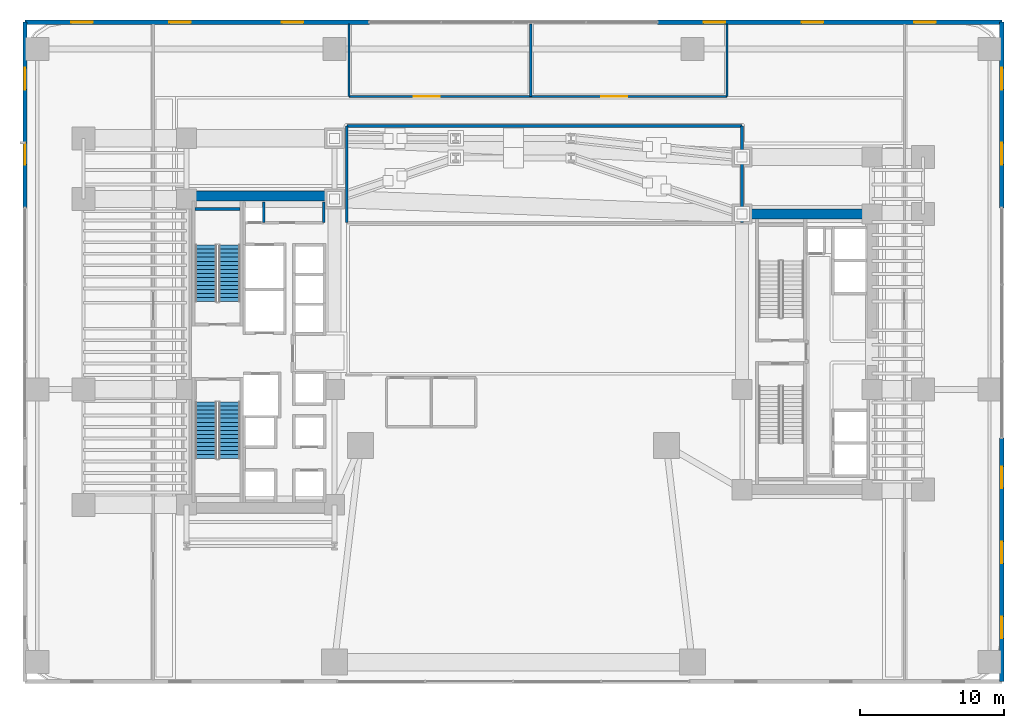
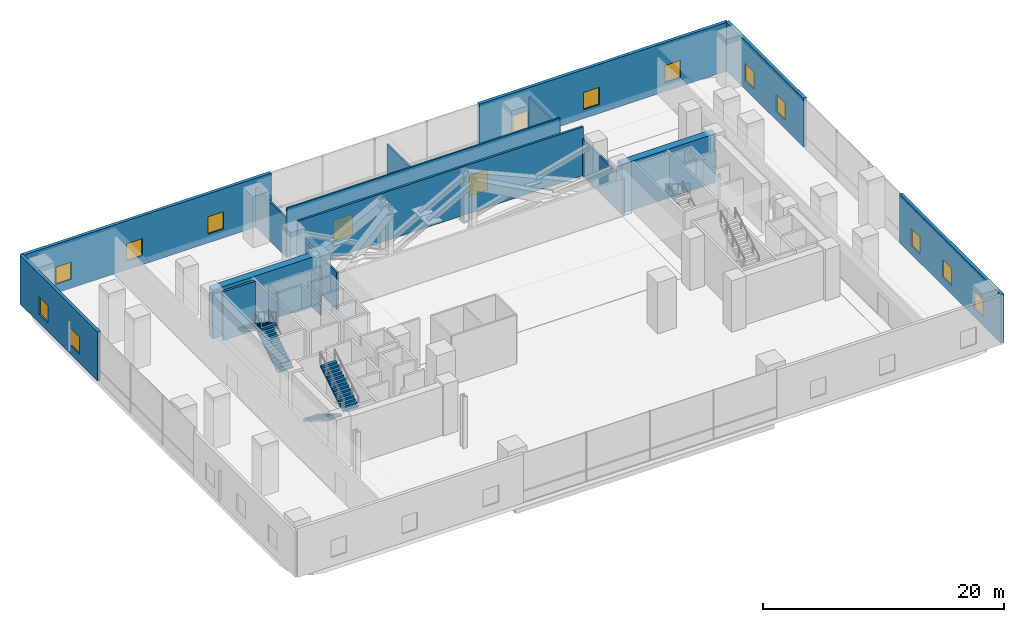
# One storey, part 29 of 41: 17 walls, 13 windows, 4 stair flights, 2 doors, 15 openings, 2 elements without a shape of their own.
"""IFC4 building model written with IfcOpenShell, lengths in metres."""

from ifc_helpers import new_model, si_unit, direction, frame, frame_2d, origin, place, context, subcontext, project, spatial, polyline, rectangle, outline, extrude, material, layer, layer_set, type_object, element, fill, aggregate, save


model = new_model("IFC4")

# Units and contexts
model_context = context("Model", 3, precision=1e-05, world=origin(), true_north=direction((0.0, 1.0)))
body_context = subcontext(model_context, "Body", "Model", "MODEL_VIEW")
ifc_project = project(units=[si_unit("LENGTHUNIT", "METRE"), si_unit("AREAUNIT", "SQUARE_METRE"), si_unit("VOLUMEUNIT", "CUBIC_METRE"), si_unit("PLANEANGLEUNIT", "RADIAN"), si_unit("MASSUNIT", "GRAM", prefix="KILO")], contexts=[model_context])

# Site, building, storey
site_placement = place(None, origin())
site = spatial("IfcSite", under=ifc_project, at=site_placement, CompositionType="ELEMENT")
building_placement = place(site_placement, origin())
building = spatial("IfcBuilding", under=site, at=building_placement, Name="Valdorenza Pilgrim Sanctuary Tower", CompositionType="ELEMENT")
storey_placement = place(building_placement, frame((0.0, 0.0, 20.800048828125)))
storey = spatial("IfcBuildingStorey", under=building, at=storey_placement, Name="L04", CompositionType="ELEMENT", Elevation=20.800048828125)

# Walls
ifc_material_1 = material(Name="Acoustic twin-stud gypsum partition", Category="gypsum")
ifc_layer_1 = layer(ifc_material_1, 0.159912109375, Name="Acoustic twin-stud gypsum partition")
ifc_layer_set_1 = layer_set([ifc_layer_1], Name="Acoustic twin-stud gypsum partition")
wall_type_1 = type_object("IfcWallType", Name="WAL-COR-160", PredefinedType="PARTITIONING", material=ifc_layer_set_1)
for number, where, z_axis, x_axis, name in (
    (1, (-13.14990234375, 8.949951171875, 0.0), (0.0, 0.0, 1.0), (0.0, 1.0, 0.0), "L04 Core A North Service East Wall"),
    (2, (-17.300048828125, 8.949951171875, 0.0), (0.0, 0.0, 1.0), (0.0, 1.0, 0.0), "L04 Core Electrical Riser Wall"),
):
    element("IfcWall", number, at=place(storey_placement, frame(where, z_axis=z_axis, x_axis=x_axis)), inside=storey, type_object=wall_type_1, Name=name, PredefinedType="PARTITIONING", context=body_context, shape_type="SweptSolid", body=[
        extrude(rectangle(XDim=1.429931640625, YDim=0.159912109375, at=frame_2d((0.71484375, 0.0))), origin(), (0.0, 0.0, 1.0), 3.744873046875),
    ])

# Wall, openings, doors
wall_1_placement = place(storey_placement, frame((-11.39990234375, 17.699951171875, 0.0), z_axis=(0.0, 0.0, 1.0), x_axis=(1.0, 0.0, 0.0)))
wall_1 = element("IfcWall", 3, at=wall_1_placement, inside=storey, type_object=wall_type_1, Name="L04 L04 North Hall Wall", PredefinedType="PARTITIONING", context=body_context, shape_type="SweptSolid", body=[
    extrude(rectangle(XDim=26.199951171875, YDim=0.159912109375, at=frame_2d((13.10009765625, 0.0))), origin(), (0.0, 0.0, 1.0), 4.9599609375),
])
opening_1_placement = place(wall_1_placement, frame((4.5, 0.0, 0.0)))
opening_1 = element("IfcOpeningElement", 4, at=opening_1_placement, cuts=wall_1, Name="Opening DR-HL1", PredefinedType="OPENING", context=body_context, shape_type="SweptSolid", body=[
    extrude(rectangle(XDim=1.800048828125, YDim=2.14990234375, at=frame_2d((0.89990234375, 1.074951171875))), frame((0.0, 0.0947265625, 0.0), z_axis=(0.0, -1.0, 0.0), x_axis=(1.0, 0.0, 0.0)), (0.0, 0.0, 1.0), 0.189697265625),
])
opening_2_placement = place(wall_1_placement, frame((17.5, 0.0, 0.0)))
opening_2 = element("IfcOpeningElement", 5, at=opening_2_placement, cuts=wall_1, Name="Opening DR-HL1", PredefinedType="OPENING", context=body_context, shape_type="SweptSolid", body=[
    extrude(rectangle(XDim=1.800048828125, YDim=2.14990234375, at=frame_2d((0.89990234375, 1.074951171875))), frame((0.0, 0.0947265625, 0.0), z_axis=(0.0, -1.0, 0.0), x_axis=(1.0, 0.0, 0.0)), (0.0, 0.0, 1.0), 0.189697265625),
])
ifc_material_2 = material(Name="Acoustic oak and vision-glass double door", Category="glass")
door_type = type_object("IfcDoorType", Name="DR-HALL-1800", OperationType="NOTDEFINED", PredefinedType="DOOR", material=ifc_material_2)
door_1_placement = place(opening_1_placement, frame((1.800048828125, 0.0, 0.0), z_axis=(0.0, 0.0, 1.0), x_axis=(-1.0, 0.0, 0.0)))
door_1 = element("IfcDoor", 6, at=door_1_placement, inside=storey, type_object=door_type, Name="L04 Hydrotherapy Changing Suite Double Door", OperationType="DOUBLE_DOOR_SINGLE_SWING", OverallHeight=2.14990234375, OverallWidth=1.800048828125, PredefinedType="DOOR", context=body_context, shape_type="SweptSolid", body=[
    extrude(rectangle(XDim=1.800048828125, YDim=2.14990234375, at=frame_2d((0.89990234375, 1.074951171875))), frame((0.0, 0.02490234375, 0.0), z_axis=(0.0, -1.0, 0.0), x_axis=(1.0, 0.0, 0.0)), (0.0, 0.0, 1.0), 0.050048828125),
])
fill(opening_1, door_1)
door_2_placement = place(opening_2_placement, origin())
door_2 = element("IfcDoor", 7, at=door_2_placement, inside=storey, type_object=door_type, Name="L04 Transfer Plant Room Double Door", OperationType="DOUBLE_DOOR_SINGLE_SWING", OverallHeight=2.14990234375, OverallWidth=1.800048828125, PredefinedType="DOOR", context=body_context, shape_type="SweptSolid", body=[
    extrude(rectangle(XDim=1.800048828125, YDim=2.14990234375, at=frame_2d((0.89990234375, 1.074951171875))), frame((0.0, 0.02490234375, 0.0), z_axis=(0.0, -1.0, 0.0), x_axis=(1.0, 0.0, 0.0)), (0.0, 0.0, 1.0), 0.050048828125),
])
fill(opening_2, door_2)

# Walls
for number, where, z_axis, x_axis, name in (
    (8, (-11.39990234375, 17.699951171875, 0.0), (0.0, 0.0, 1.0), (0.0, 1.0, 0.0), "L04 L04 North Hall West Wall"),
    (9, (14.800048828125, 17.699951171875, 0.0), (0.0, 0.0, 1.0), (0.0, 1.0, 0.0), "L04 L04 North Hall East Wall"),
):
    element("IfcWall", number, at=place(storey_placement, frame(where, z_axis=z_axis, x_axis=x_axis)), inside=storey, type_object=wall_type_1, Name=name, PredefinedType="PARTITIONING", context=body_context, shape_type="SweptSolid", body=[
        extrude(rectangle(XDim=5.0400390625, YDim=0.159912109375, at=frame_2d((2.52001953125, 0.0))), origin(), (0.0, 0.0, 1.0), 3.9970703125),
    ])
ifc_material_3 = material(Name="Concrete C60/75", Category="concrete")
ifc_layer_2 = layer(ifc_material_3, 0.699951171875, Name="Concrete C60/75")
ifc_layer_set_2 = layer_set([ifc_layer_2], Name="Concrete C60/75")
wall_type_2 = type_object("IfcWallType", Name="WAL-COR-700", PredefinedType="SHEAR", material=ifc_layer_set_2)
wall_2_placement = place(storey_placement, frame((-22.64990234375, 10.800048828125, 0.0), z_axis=(0.0, 0.0, 1.0), x_axis=(1.0, 0.0, 0.0)))
element("IfcWall", 10, at=wall_2_placement, inside=storey, type_object=wall_type_2, Name="L04 Split Core A Shear Wall N", PredefinedType="SHEAR", context=body_context, shape_type="SweptSolid", body=[
    extrude(rectangle(XDim=10.25, YDim=0.699951171875, at=frame_2d((5.125, 0.0))), origin(), (0.0, 0.0, 1.0), 4.9599609375),
])
wall_3_placement = place(storey_placement, frame((15.85009765625, 9.550048828125, 0.0), z_axis=(0.0, 0.0, 1.0), x_axis=(1.0, 0.0, 0.0)))
element("IfcWall", 11, at=wall_3_placement, inside=storey, type_object=wall_type_2, Name="L04 Split Core B Shear Wall N", PredefinedType="SHEAR", context=body_context, shape_type="SweptSolid", body=[
    extrude(rectangle(XDim=9.0, YDim=0.699951171875, at=frame_2d((4.5, 0.0))), origin(), (0.0, 0.0, 1.0), 4.9599609375),
])

# Wall, openings, windows
ifc_material_4 = material(Name="Honed travertine limestone", Category="masonry")
ifc_layer_3 = layer(ifc_material_4, 0.300048828125, Name="Honed travertine limestone")
ifc_layer_set_3 = layer_set([ifc_layer_3], Name="Honed travertine limestone")
wall_type_3 = type_object("IfcWallType", Name="WAL-EXT-300", PredefinedType="SOLIDWALL", material=ifc_layer_set_3)
wall_4_placement = place(storey_placement, frame((-33.85009765625, 9.97998046875, 0.0), z_axis=(0.0, 0.0, 1.0), x_axis=(0.0, 1.0, 0.0)))
wall_4 = element("IfcWall", 12, at=wall_4_placement, inside=storey, type_object=wall_type_3, Name="L04 Podium Honed Travertine Stone Wall W-N", PredefinedType="SOLIDWALL", context=body_context, shape_type="SweptSolid", body=[
    extrude(rectangle(XDim=12.8701171875, YDim=0.300048828125, at=frame_2d((6.43505859375, 0.0))), origin(), (0.0, 0.0, 1.0), 4.9599609375),
])
opening_3_placement = place(wall_4_placement, frame((3.0, 0.0, 0.89990234375)))
opening_3 = element("IfcOpeningElement", 13, at=opening_3_placement, cuts=wall_4, Name="Opening WN-VS1", PredefinedType="OPENING", context=body_context, shape_type="SweptSolid", body=[
    extrude(rectangle(XDim=1.5, YDim=1.75, at=frame_2d((0.75, 0.875))), frame((0.0, 0.1650390625, 0.0), z_axis=(0.0, -1.0, 0.0), x_axis=(1.0, 0.0, 0.0)), (0.0, 0.0, 1.0), 0.329833984375),
])
opening_4_placement = place(wall_4_placement, frame((8.199951171875, 0.0, 0.89990234375)))
opening_4 = element("IfcOpeningElement", 14, at=opening_4_placement, cuts=wall_4, Name="Opening WN-VS1", PredefinedType="OPENING", context=body_context, shape_type="SweptSolid", body=[
    extrude(rectangle(XDim=1.5, YDim=1.75, at=frame_2d((0.75, 0.875))), frame((0.0, 0.1650390625, 0.0), z_axis=(0.0, -1.0, 0.0), x_axis=(1.0, 0.0, 0.0)), (0.0, 0.0, 1.0), 0.329833984375),
])
ifc_material_5 = material(Name="Ceramic-fritted low-E IGU glazing", Category="glass")
window_type = type_object("IfcWindowType", Name="WIN-VIS-1500", PartitioningType="SINGLE_PANEL", PredefinedType="WINDOW", material=ifc_material_5)
window_1_placement = place(opening_3_placement, origin())
window_1 = element("IfcWindow", 15, at=window_1_placement, inside=storey, type_object=window_type, Name="L04 Podium Stone Vision Window W-N-1", OverallHeight=1.75, OverallWidth=1.5, PartitioningType="SINGLE_PANEL", PredefinedType="WINDOW", context=body_context, shape_type="SweptSolid", body=[
    extrude(rectangle(XDim=1.5, YDim=1.75, at=frame_2d((0.75, 0.875))), frame((0.0, 0.030029296875, 0.0), z_axis=(0.0, -1.0, 0.0), x_axis=(1.0, 0.0, 0.0)), (0.0, 0.0, 1.0), 0.06005859375),
])
fill(opening_3, window_1)
window_2_placement = place(opening_4_placement, origin())
window_2 = element("IfcWindow", 16, at=window_2_placement, inside=storey, type_object=window_type, Name="L04 Podium Stone Vision Window W-N-2", OverallHeight=1.75, OverallWidth=1.5, PartitioningType="SINGLE_PANEL", PredefinedType="WINDOW", context=body_context, shape_type="SweptSolid", body=[
    extrude(rectangle(XDim=1.5, YDim=1.75, at=frame_2d((0.75, 0.875))), frame((0.0, 0.030029296875, 0.0), z_axis=(0.0, -1.0, 0.0), x_axis=(1.0, 0.0, 0.0)), (0.0, 0.0, 1.0), 0.06005859375),
])
fill(opening_4, window_2)

wall_5_placement = place(storey_placement, frame((33.85009765625, -22.85009765625, 0.0), z_axis=(0.0, 0.0, 1.0), x_axis=(0.0, 1.0, 0.0)))
wall_5 = element("IfcWall", 17, at=wall_5_placement, inside=storey, type_object=wall_type_3, Name="L04 Podium Honed Travertine Stone Wall E-S", PredefinedType="SOLIDWALL", context=body_context, shape_type="SweptSolid", body=[
    extrude(rectangle(XDim=16.8701171875, YDim=0.300048828125, at=frame_2d((8.43505859375, 0.0))), origin(), (0.0, 0.0, 1.0), 4.9599609375),
])
opening_5_placement = place(wall_5_placement, frame((3.0, 0.0, 0.89990234375)))
opening_5 = element("IfcOpeningElement", 18, at=opening_5_placement, cuts=wall_5, Name="Opening WN-VS1", PredefinedType="OPENING", context=body_context, shape_type="SweptSolid", body=[
    extrude(rectangle(XDim=1.5, YDim=1.75, at=frame_2d((0.75, 0.875))), frame((0.0, 0.1650390625, 0.0), z_axis=(0.0, -1.0, 0.0), x_axis=(1.0, 0.0, 0.0)), (0.0, 0.0, 1.0), 0.329833984375),
])
opening_6_placement = place(wall_5_placement, frame((8.199951171875, 0.0, 0.89990234375)))
opening_6 = element("IfcOpeningElement", 19, at=opening_6_placement, cuts=wall_5, Name="Opening WN-VS1", PredefinedType="OPENING", context=body_context, shape_type="SweptSolid", body=[
    extrude(rectangle(XDim=1.5, YDim=1.75, at=frame_2d((0.75, 0.875))), frame((0.0, 0.1650390625, 0.0), z_axis=(0.0, -1.0, 0.0), x_axis=(1.0, 0.0, 0.0)), (0.0, 0.0, 1.0), 0.329833984375),
])
opening_7_placement = place(wall_5_placement, frame((13.39990234375, 0.0, 0.89990234375)))
opening_7 = element("IfcOpeningElement", 20, at=opening_7_placement, cuts=wall_5, Name="Opening WN-VS1", PredefinedType="OPENING", context=body_context, shape_type="SweptSolid", body=[
    extrude(rectangle(XDim=1.5, YDim=1.75, at=frame_2d((0.75, 0.875))), frame((0.0, 0.1650390625, 0.0), z_axis=(0.0, -1.0, 0.0), x_axis=(1.0, 0.0, 0.0)), (0.0, 0.0, 1.0), 0.329833984375),
])
window_3_placement = place(opening_5_placement, origin())
window_3 = element("IfcWindow", 21, at=window_3_placement, inside=storey, type_object=window_type, Name="L04 Podium Stone Vision Window E-S-1", OverallHeight=1.75, OverallWidth=1.5, PartitioningType="SINGLE_PANEL", PredefinedType="WINDOW", context=body_context, shape_type="SweptSolid", body=[
    extrude(rectangle(XDim=1.5, YDim=1.75, at=frame_2d((0.75, 0.875))), frame((0.0, 0.030029296875, 0.0), z_axis=(0.0, -1.0, 0.0), x_axis=(1.0, 0.0, 0.0)), (0.0, 0.0, 1.0), 0.06005859375),
])
fill(opening_5, window_3)
window_4_placement = place(opening_6_placement, origin())
window_4 = element("IfcWindow", 22, at=window_4_placement, inside=storey, type_object=window_type, Name="L04 Podium Stone Vision Window E-S-2", OverallHeight=1.75, OverallWidth=1.5, PartitioningType="SINGLE_PANEL", PredefinedType="WINDOW", context=body_context, shape_type="SweptSolid", body=[
    extrude(rectangle(XDim=1.5, YDim=1.75, at=frame_2d((0.75, 0.875))), frame((0.0, 0.030029296875, 0.0), z_axis=(0.0, -1.0, 0.0), x_axis=(1.0, 0.0, 0.0)), (0.0, 0.0, 1.0), 0.06005859375),
])
fill(opening_6, window_4)
window_5_placement = place(opening_7_placement, origin())
window_5 = element("IfcWindow", 23, at=window_5_placement, inside=storey, type_object=window_type, Name="L04 Podium Stone Vision Window E-S-3", OverallHeight=1.75, OverallWidth=1.5, PartitioningType="SINGLE_PANEL", PredefinedType="WINDOW", context=body_context, shape_type="SweptSolid", body=[
    extrude(rectangle(XDim=1.5, YDim=1.75, at=frame_2d((0.75, 0.875))), frame((0.0, 0.030029296875, 0.0), z_axis=(0.0, -1.0, 0.0), x_axis=(1.0, 0.0, 0.0)), (0.0, 0.0, 1.0), 0.06005859375),
])
fill(opening_7, window_5)

wall_6_placement = place(storey_placement, frame((33.85009765625, 9.97998046875, 0.0), z_axis=(0.0, 0.0, 1.0), x_axis=(0.0, 1.0, 0.0)))
wall_6 = element("IfcWall", 24, at=wall_6_placement, inside=storey, type_object=wall_type_3, Name="L04 Podium Honed Travertine Stone Wall E-N", PredefinedType="SOLIDWALL", context=body_context, shape_type="SweptSolid", body=[
    extrude(rectangle(XDim=12.8701171875, YDim=0.300048828125, at=frame_2d((6.43505859375, 0.0))), origin(), (0.0, 0.0, 1.0), 4.9599609375),
])
opening_8_placement = place(wall_6_placement, frame((3.0, 0.0, 0.89990234375)))
opening_8 = element("IfcOpeningElement", 25, at=opening_8_placement, cuts=wall_6, Name="Opening WN-VS1", PredefinedType="OPENING", context=body_context, shape_type="SweptSolid", body=[
    extrude(rectangle(XDim=1.5, YDim=1.75, at=frame_2d((0.75, 0.875))), frame((0.0, 0.1650390625, 0.0), z_axis=(0.0, -1.0, 0.0), x_axis=(1.0, 0.0, 0.0)), (0.0, 0.0, 1.0), 0.329833984375),
])
opening_9_placement = place(wall_6_placement, frame((8.199951171875, 0.0, 0.89990234375)))
opening_9 = element("IfcOpeningElement", 26, at=opening_9_placement, cuts=wall_6, Name="Opening WN-VS1", PredefinedType="OPENING", context=body_context, shape_type="SweptSolid", body=[
    extrude(rectangle(XDim=1.5, YDim=1.75, at=frame_2d((0.75, 0.875))), frame((0.0, 0.1650390625, 0.0), z_axis=(0.0, -1.0, 0.0), x_axis=(1.0, 0.0, 0.0)), (0.0, 0.0, 1.0), 0.329833984375),
])
window_6_placement = place(opening_8_placement, origin())
window_6 = element("IfcWindow", 27, at=window_6_placement, inside=storey, type_object=window_type, Name="L04 Podium Stone Vision Window E-N-1", OverallHeight=1.75, OverallWidth=1.5, PartitioningType="SINGLE_PANEL", PredefinedType="WINDOW", context=body_context, shape_type="SweptSolid", body=[
    extrude(rectangle(XDim=1.5, YDim=1.75, at=frame_2d((0.75, 0.875))), frame((0.0, 0.030029296875, 0.0), z_axis=(0.0, -1.0, 0.0), x_axis=(1.0, 0.0, 0.0)), (0.0, 0.0, 1.0), 0.06005859375),
])
fill(opening_8, window_6)
window_7_placement = place(opening_9_placement, origin())
window_7 = element("IfcWindow", 28, at=window_7_placement, inside=storey, type_object=window_type, Name="L04 Podium Stone Vision Window E-N-2", OverallHeight=1.75, OverallWidth=1.5, PartitioningType="SINGLE_PANEL", PredefinedType="WINDOW", context=body_context, shape_type="SweptSolid", body=[
    extrude(rectangle(XDim=1.5, YDim=1.75, at=frame_2d((0.75, 0.875))), frame((0.0, 0.030029296875, 0.0), z_axis=(0.0, -1.0, 0.0), x_axis=(1.0, 0.0, 0.0)), (0.0, 0.0, 1.0), 0.06005859375),
])
fill(opening_9, window_7)

wall_7_placement = place(storey_placement, frame((-33.85009765625, 22.85009765625, 0.0), z_axis=(0.0, 0.0, 1.0), x_axis=(1.0, 0.0, 0.0)))
wall_7 = element("IfcWall", 29, at=wall_7_placement, inside=storey, type_object=wall_type_3, Name="L04 Podium Honed Travertine Stone Wall N-W", PredefinedType="SOLIDWALL", context=body_context, shape_type="SweptSolid", body=[
    extrude(rectangle(XDim=23.8701171875, YDim=0.300048828125, at=frame_2d((11.93505859375, 0.0))), origin(), (0.0, 0.0, 1.0), 4.9599609375),
])
opening_10_placement = place(wall_7_placement, frame((3.199951171875, 0.0, 0.89990234375)))
opening_10 = element("IfcOpeningElement", 30, at=opening_10_placement, cuts=wall_7, Name="Opening WN-VS1", PredefinedType="OPENING", context=body_context, shape_type="SweptSolid", body=[
    extrude(rectangle(XDim=1.5, YDim=1.75, at=frame_2d((0.75, 0.875))), frame((0.0, 0.1650390625, 0.0), z_axis=(0.0, -1.0, 0.0), x_axis=(1.0, 0.0, 0.0)), (0.0, 0.0, 1.0), 0.329833984375),
])
opening_11_placement = place(wall_7_placement, frame((10.0, 0.0, 0.89990234375)))
opening_11 = element("IfcOpeningElement", 31, at=opening_11_placement, cuts=wall_7, Name="Opening WN-VS1", PredefinedType="OPENING", context=body_context, shape_type="SweptSolid", body=[
    extrude(rectangle(XDim=1.5, YDim=1.75, at=frame_2d((0.75, 0.875))), frame((0.0, 0.1650390625, 0.0), z_axis=(0.0, -1.0, 0.0), x_axis=(1.0, 0.0, 0.0)), (0.0, 0.0, 1.0), 0.329833984375),
])
opening_12_placement = place(wall_7_placement, frame((17.800048828125, 0.0, 0.89990234375)))
opening_12 = element("IfcOpeningElement", 32, at=opening_12_placement, cuts=wall_7, Name="Opening WN-VS1", PredefinedType="OPENING", context=body_context, shape_type="SweptSolid", body=[
    extrude(rectangle(XDim=1.5, YDim=1.75, at=frame_2d((0.75, 0.875))), frame((0.0, 0.1650390625, 0.0), z_axis=(0.0, -1.0, 0.0), x_axis=(1.0, 0.0, 0.0)), (0.0, 0.0, 1.0), 0.329833984375),
])
window_8_placement = place(opening_10_placement, origin())
window_8 = element("IfcWindow", 33, at=window_8_placement, inside=storey, type_object=window_type, Name="L04 Podium Stone Vision Window N-W-1", OverallHeight=1.75, OverallWidth=1.5, PartitioningType="SINGLE_PANEL", PredefinedType="WINDOW", context=body_context, shape_type="SweptSolid", body=[
    extrude(rectangle(XDim=1.5, YDim=1.75, at=frame_2d((0.75, 0.875))), frame((0.0, 0.030029296875, 0.0), z_axis=(0.0, -1.0, 0.0), x_axis=(1.0, 0.0, 0.0)), (0.0, 0.0, 1.0), 0.06005859375),
])
fill(opening_10, window_8)
window_9_placement = place(opening_11_placement, origin())
window_9 = element("IfcWindow", 34, at=window_9_placement, inside=storey, type_object=window_type, Name="L04 Podium Stone Vision Window N-W-2", OverallHeight=1.75, OverallWidth=1.5, PartitioningType="SINGLE_PANEL", PredefinedType="WINDOW", context=body_context, shape_type="SweptSolid", body=[
    extrude(rectangle(XDim=1.5, YDim=1.75, at=frame_2d((0.75, 0.875))), frame((0.0, 0.030029296875, 0.0), z_axis=(0.0, -1.0, 0.0), x_axis=(1.0, 0.0, 0.0)), (0.0, 0.0, 1.0), 0.06005859375),
])
fill(opening_11, window_9)
window_10_placement = place(opening_12_placement, origin())
window_10 = element("IfcWindow", 35, at=window_10_placement, inside=storey, type_object=window_type, Name="L04 Podium Stone Vision Window N-W-3", OverallHeight=1.75, OverallWidth=1.5, PartitioningType="SINGLE_PANEL", PredefinedType="WINDOW", context=body_context, shape_type="SweptSolid", body=[
    extrude(rectangle(XDim=1.5, YDim=1.75, at=frame_2d((0.75, 0.875))), frame((0.0, 0.030029296875, 0.0), z_axis=(0.0, -1.0, 0.0), x_axis=(1.0, 0.0, 0.0)), (0.0, 0.0, 1.0), 0.06005859375),
])
fill(opening_12, window_10)

wall_8_placement = place(storey_placement, frame((9.97998046875, 22.85009765625, 0.0), z_axis=(0.0, 0.0, 1.0), x_axis=(1.0, 0.0, 0.0)))
wall_8 = element("IfcWall", 36, at=wall_8_placement, inside=storey, type_object=wall_type_3, Name="L04 Podium Honed Travertine Stone Wall N-E", PredefinedType="SOLIDWALL", context=body_context, shape_type="SweptSolid", body=[
    extrude(rectangle(XDim=23.8701171875, YDim=0.300048828125, at=frame_2d((11.93505859375, 0.0))), origin(), (0.0, 0.0, 1.0), 4.9599609375),
])
opening_13_placement = place(wall_8_placement, frame((3.199951171875, 0.0, 0.89990234375)))
opening_13 = element("IfcOpeningElement", 37, at=opening_13_placement, cuts=wall_8, Name="Opening WN-VS1", PredefinedType="OPENING", context=body_context, shape_type="SweptSolid", body=[
    extrude(rectangle(XDim=1.5, YDim=1.75, at=frame_2d((0.75, 0.875))), frame((0.0, 0.1650390625, 0.0), z_axis=(0.0, -1.0, 0.0), x_axis=(1.0, 0.0, 0.0)), (0.0, 0.0, 1.0), 0.329833984375),
])
opening_14_placement = place(wall_8_placement, frame((10.0, 0.0, 0.89990234375)))
opening_14 = element("IfcOpeningElement", 38, at=opening_14_placement, cuts=wall_8, Name="Opening WN-VS1", PredefinedType="OPENING", context=body_context, shape_type="SweptSolid", body=[
    extrude(rectangle(XDim=1.5, YDim=1.75, at=frame_2d((0.75, 0.875))), frame((0.0, 0.1650390625, 0.0), z_axis=(0.0, -1.0, 0.0), x_axis=(1.0, 0.0, 0.0)), (0.0, 0.0, 1.0), 0.329833984375),
])
opening_15_placement = place(wall_8_placement, frame((17.800048828125, 0.0, 0.89990234375)))
opening_15 = element("IfcOpeningElement", 39, at=opening_15_placement, cuts=wall_8, Name="Opening WN-VS1", PredefinedType="OPENING", context=body_context, shape_type="SweptSolid", body=[
    extrude(rectangle(XDim=1.5, YDim=1.75, at=frame_2d((0.75, 0.875))), frame((0.0, 0.1650390625, 0.0), z_axis=(0.0, -1.0, 0.0), x_axis=(1.0, 0.0, 0.0)), (0.0, 0.0, 1.0), 0.329833984375),
])
window_11_placement = place(opening_13_placement, origin())
window_11 = element("IfcWindow", 40, at=window_11_placement, inside=storey, type_object=window_type, Name="L04 Podium Stone Vision Window N-E-1", OverallHeight=1.75, OverallWidth=1.5, PartitioningType="SINGLE_PANEL", PredefinedType="WINDOW", context=body_context, shape_type="SweptSolid", body=[
    extrude(rectangle(XDim=1.5, YDim=1.75, at=frame_2d((0.75, 0.875))), frame((0.0, 0.030029296875, 0.0), z_axis=(0.0, -1.0, 0.0), x_axis=(1.0, 0.0, 0.0)), (0.0, 0.0, 1.0), 0.06005859375),
])
fill(opening_13, window_11)
window_12_placement = place(opening_14_placement, origin())
window_12 = element("IfcWindow", 41, at=window_12_placement, inside=storey, type_object=window_type, Name="L04 Podium Stone Vision Window N-E-2", OverallHeight=1.75, OverallWidth=1.5, PartitioningType="SINGLE_PANEL", PredefinedType="WINDOW", context=body_context, shape_type="SweptSolid", body=[
    extrude(rectangle(XDim=1.5, YDim=1.75, at=frame_2d((0.75, 0.875))), frame((0.0, 0.030029296875, 0.0), z_axis=(0.0, -1.0, 0.0), x_axis=(1.0, 0.0, 0.0)), (0.0, 0.0, 1.0), 0.06005859375),
])
fill(opening_14, window_12)
window_13_placement = place(opening_15_placement, origin())
window_13 = element("IfcWindow", 42, at=window_13_placement, inside=storey, type_object=window_type, Name="L04 Podium Stone Vision Window N-E-3", OverallHeight=1.75, OverallWidth=1.5, PartitioningType="SINGLE_PANEL", PredefinedType="WINDOW", context=body_context, shape_type="SweptSolid", body=[
    extrude(rectangle(XDim=1.5, YDim=1.75, at=frame_2d((0.75, 0.875))), frame((0.0, 0.030029296875, 0.0), z_axis=(0.0, -1.0, 0.0), x_axis=(1.0, 0.0, 0.0)), (0.0, 0.0, 1.0), 0.06005859375),
])
fill(opening_15, window_13)

# Walls
ifc_material_6 = material(Name="Gypsum shaftwall partition", Category="gypsum")
ifc_layer_4 = layer(ifc_material_6, 0.199951171875, Name="Gypsum shaftwall partition")
ifc_layer_set_4 = layer_set([ifc_layer_4], Name="Gypsum shaftwall partition")
wall_type_4 = type_object("IfcWallType", Name="WAL-FFL-200", PredefinedType="PARTITIONING", material=ifc_layer_set_4)
wall_9_placement = place(storey_placement, frame((-11.550048828125, 15.64990234375, 0.0), z_axis=(0.0, 0.0, 1.0), x_axis=(1.0, 0.0, 0.0)))
element("IfcWall", 43, at=wall_9_placement, inside=storey, type_object=wall_type_4, Name="L04 L04 Transfer Truss North Wall", PredefinedType="PARTITIONING", context=body_context, shape_type="SweptSolid", body=[
    extrude(rectangle(XDim=27.400146484375, YDim=0.199951171875, at=frame_2d((13.7001953125, 0.0))), origin(), (0.0, 0.0, 1.0), 4.9599609375),
])
for number, where, z_axis, x_axis, name in (
    (44, (-11.550048828125, 8.949951171875, 0.0), (0.0, 0.0, 1.0), (0.0, 1.0, 0.0), "L04 L04 Transfer Truss West Wall"),
    (45, (15.85009765625, 8.949951171875, 0.0), (0.0, 0.0, 1.0), (0.0, 1.0, 0.0), "L04 L04 Transfer Truss East Wall"),
):
    element("IfcWall", number, at=place(storey_placement, frame(where, z_axis=z_axis, x_axis=x_axis)), inside=storey, type_object=wall_type_4, Name=name, PredefinedType="PARTITIONING", context=body_context, shape_type="SweptSolid", body=[
        extrude(rectangle(XDim=6.699951171875, YDim=0.199951171875, at=frame_2d((3.35009765625, 0.0))), origin(), (0.0, 0.0, 1.0), 3.744873046875),
    ])
ifc_material_7 = material(Name="Concrete C40/50", Category="concrete")
ifc_layer_5 = layer(ifc_material_7, 0.219970703125, Name="Concrete C40/50")
ifc_layer_set_5 = layer_set([ifc_layer_5], Name="Concrete C40/50")
wall_type_5 = type_object("IfcWallType", Name="WAL-STR-SHF-220", PredefinedType="SHEAR", material=ifc_layer_set_5)
wall_10_placement = place(storey_placement, frame((-22.050048828125, 9.909912109375, 0.0), z_axis=(0.0, 0.0, 1.0), x_axis=(1.0, 0.0, 0.0)))
element("IfcWall", 46, at=wall_10_placement, inside=storey, type_object=wall_type_5, Name="L04 ST-A1 Structural Stairwell Wall N", PredefinedType="SHEAR", context=body_context, shape_type="SweptSolid", body=[
    extrude(rectangle(XDim=3.110107421875, YDim=0.219970703125, at=frame_2d((1.55517578125, 0.0))), origin(), (0.0, 0.0, 1.0), 4.9599609375),
])
ifc_layer_6 = layer(ifc_material_1, 0.14990234375, Name="Acoustic twin-stud gypsum partition")
ifc_layer_set_6 = layer_set([ifc_layer_6], Name="Acoustic twin-stud gypsum partition")
wall_type_6 = type_object("IfcWallType", Name="WAL-UNT-150", PredefinedType="PARTITIONING", material=ifc_layer_set_6)
wall_11_placement = place(storey_placement, frame((1.199951171875, 17.699951171875, 0.0), z_axis=(0.0, 0.0, 1.0), x_axis=(0.0, 1.0, 0.0)))
element("IfcWall", 47, at=wall_11_placement, inside=storey, type_object=wall_type_6, Name="L04 L04 North Mid Wall", PredefinedType="PARTITIONING", context=body_context, shape_type="SweptSolid", body=[
    extrude(rectangle(XDim=5.0400390625, YDim=0.14990234375, at=frame_2d((2.52001953125, 0.0))), origin(), (0.0, 0.0, 1.0), 3.9970703125),
])

# Stair, stair flights
stair_type = type_object("IfcStairType", Name="STR-DOG-CORE", PredefinedType="HALF_TURN_STAIR", material=ifc_material_7)
stair_1_placement = place(storey_placement, origin())
stair_1 = element("IfcStair", 48, at=stair_1_placement, inside=storey, type_object=stair_type, Name="L04 ST-A1", PredefinedType="HALF_TURN_STAIR")
stair_flight_type = type_object("IfcStairFlightType", Name="STF-RC-1400", PredefinedType="STRAIGHT", material=ifc_material_7)
stair_flight_1_placement = place(storey_placement, frame((-19.679931640625, 3.47998046875, 0.0), z_axis=(0.0, 0.0, 1.0), x_axis=(0.0, 1.0, 0.0)))
stair_flight_1 = element("IfcStairFlight", 49, at=stair_flight_1_placement, type_object=stair_flight_type, Name="ST-A1 flight 1", NumberOfRisers=15, NumberOfTreads=14, PredefinedType="STRAIGHT", RiserHeight=0.173333333, TreadLength=0.28, context=body_context, shape_type="SweptSolid", body=[
    extrude(outline(polyline([(0.0, 0.0), (0.0, 0.17333984375), (0.280029296875, 0.17333984375), (0.280029296875, 0.3466796875), (0.56005859375, 0.3466796875), (0.56005859375, 0.52001953125), (0.840087890625, 0.52001953125), (0.840087890625, 0.693359375), (1.1201171875, 0.693359375), (1.1201171875, 0.86669921875), (1.39990234375, 0.86669921875), (1.39990234375, 1.0400390625), (1.679931640625, 1.0400390625), (1.679931640625, 1.21337890625), (1.9599609375, 1.21337890625), (1.9599609375, 1.38671875), (2.239990234375, 1.38671875), (2.239990234375, 1.56005859375), (2.52001953125, 1.56005859375), (2.52001953125, 1.7333984375), (2.800048828125, 1.7333984375), (2.800048828125, 1.90673828125), (3.080078125, 1.90673828125), (3.080078125, 2.080078125), (3.360107421875, 2.080078125), (3.360107421875, 2.25341796875), (3.639892578125, 2.25341796875), (3.639892578125, 2.4267578125), (3.919921875, 2.4267578125), (3.919921875, 2.60009765625), (3.919921875, 2.250244140625), (0.284912109375, 0.0), (0.0, 0.0)])), frame((0.0, 0.739990234375, 0.0), z_axis=(0.0, -1.0, 0.0), x_axis=(1.0, 0.0, 0.0)), (0.0, 0.0, 1.0), 1.47998046875),
])
stair_flight_2_placement = place(storey_placement, frame((-21.31005859375, 7.39990234375, 2.599853515625), z_axis=(0.0, 0.0, 1.0), x_axis=(0.0, -1.0, 0.0)))
stair_flight_2 = element("IfcStairFlight", 50, at=stair_flight_2_placement, type_object=stair_flight_type, Name="ST-A1 flight 2", NumberOfRisers=15, NumberOfTreads=14, PredefinedType="STRAIGHT", RiserHeight=0.173333333, TreadLength=0.28, context=body_context, shape_type="SweptSolid", body=[
    extrude(outline(polyline([(0.0, 0.0), (0.0, 0.17333984375), (0.280029296875, 0.17333984375), (0.280029296875, 0.3466796875), (0.56005859375, 0.3466796875), (0.56005859375, 0.52001953125), (0.840087890625, 0.52001953125), (0.840087890625, 0.693359375), (1.1201171875, 0.693359375), (1.1201171875, 0.86669921875), (1.39990234375, 0.86669921875), (1.39990234375, 1.0400390625), (1.679931640625, 1.0400390625), (1.679931640625, 1.21337890625), (1.9599609375, 1.21337890625), (1.9599609375, 1.38671875), (2.239990234375, 1.38671875), (2.239990234375, 1.56005859375), (2.52001953125, 1.56005859375), (2.52001953125, 1.7333984375), (2.800048828125, 1.7333984375), (2.800048828125, 1.90673828125), (3.080078125, 1.90673828125), (3.080078125, 2.080078125), (3.360107421875, 2.080078125), (3.360107421875, 2.25341796875), (3.639892578125, 2.25341796875), (3.639892578125, 2.4267578125), (3.919921875, 2.4267578125), (3.919921875, 2.60009765625), (3.919921875, 2.250244140625), (0.284912109375, 0.0), (0.0, 0.0)])), frame((0.0, 0.739990234375, 0.0), z_axis=(0.0, -1.0, 0.0), x_axis=(1.0, 0.0, 0.0)), (0.0, 0.0, 1.0), 1.47998046875),
])
aggregate(stair_1, [stair_flight_1, stair_flight_2])

stair_2_placement = place(storey_placement, origin())
stair_2 = element("IfcStair", 51, at=stair_2_placement, inside=storey, type_object=stair_type, Name="L04 ST-A2", PredefinedType="HALF_TURN_STAIR")
stair_flight_3_placement = place(storey_placement, frame((-21.31005859375, -3.47998046875, 0.0), z_axis=(0.0, 0.0, 1.0), x_axis=(0.0, -1.0, 0.0)))
stair_flight_3 = element("IfcStairFlight", 52, at=stair_flight_3_placement, type_object=stair_flight_type, Name="ST-A2 flight 1", NumberOfRisers=15, NumberOfTreads=14, PredefinedType="STRAIGHT", RiserHeight=0.173333333, TreadLength=0.28, context=body_context, shape_type="SweptSolid", body=[
    extrude(outline(polyline([(0.0, 0.0), (0.0, 0.17333984375), (0.280029296875, 0.17333984375), (0.280029296875, 0.3466796875), (0.56005859375, 0.3466796875), (0.56005859375, 0.52001953125), (0.840087890625, 0.52001953125), (0.840087890625, 0.693359375), (1.1201171875, 0.693359375), (1.1201171875, 0.86669921875), (1.39990234375, 0.86669921875), (1.39990234375, 1.0400390625), (1.679931640625, 1.0400390625), (1.679931640625, 1.21337890625), (1.9599609375, 1.21337890625), (1.9599609375, 1.38671875), (2.239990234375, 1.38671875), (2.239990234375, 1.56005859375), (2.52001953125, 1.56005859375), (2.52001953125, 1.7333984375), (2.800048828125, 1.7333984375), (2.800048828125, 1.90673828125), (3.080078125, 1.90673828125), (3.080078125, 2.080078125), (3.360107421875, 2.080078125), (3.360107421875, 2.25341796875), (3.639892578125, 2.25341796875), (3.639892578125, 2.4267578125), (3.919921875, 2.4267578125), (3.919921875, 2.60009765625), (3.919921875, 2.250244140625), (0.284912109375, 0.0), (0.0, 0.0)])), frame((0.0, 0.739990234375, 0.0), z_axis=(0.0, -1.0, 0.0), x_axis=(1.0, 0.0, 0.0)), (0.0, 0.0, 1.0), 1.47998046875),
])
stair_flight_4_placement = place(storey_placement, frame((-19.679931640625, -7.39990234375, 2.599853515625), z_axis=(0.0, 0.0, 1.0), x_axis=(0.0, 1.0, 0.0)))
stair_flight_4 = element("IfcStairFlight", 53, at=stair_flight_4_placement, type_object=stair_flight_type, Name="ST-A2 flight 2", NumberOfRisers=15, NumberOfTreads=14, PredefinedType="STRAIGHT", RiserHeight=0.173333333, TreadLength=0.28, context=body_context, shape_type="SweptSolid", body=[
    extrude(outline(polyline([(0.0, 0.0), (0.0, 0.17333984375), (0.280029296875, 0.17333984375), (0.280029296875, 0.3466796875), (0.56005859375, 0.3466796875), (0.56005859375, 0.52001953125), (0.840087890625, 0.52001953125), (0.840087890625, 0.693359375), (1.1201171875, 0.693359375), (1.1201171875, 0.86669921875), (1.39990234375, 0.86669921875), (1.39990234375, 1.0400390625), (1.679931640625, 1.0400390625), (1.679931640625, 1.21337890625), (1.9599609375, 1.21337890625), (1.9599609375, 1.38671875), (2.239990234375, 1.38671875), (2.239990234375, 1.56005859375), (2.52001953125, 1.56005859375), (2.52001953125, 1.7333984375), (2.800048828125, 1.7333984375), (2.800048828125, 1.90673828125), (3.080078125, 1.90673828125), (3.080078125, 2.080078125), (3.360107421875, 2.080078125), (3.360107421875, 2.25341796875), (3.639892578125, 2.25341796875), (3.639892578125, 2.4267578125), (3.919921875, 2.4267578125), (3.919921875, 2.60009765625), (3.919921875, 2.250244140625), (0.284912109375, 0.0), (0.0, 0.0)])), frame((0.0, 0.739990234375, 0.0), z_axis=(0.0, -1.0, 0.0), x_axis=(1.0, 0.0, 0.0)), (0.0, 0.0, 1.0), 1.47998046875),
])
aggregate(stair_2, [stair_flight_3, stair_flight_4])

save(model, "model.ifc")
